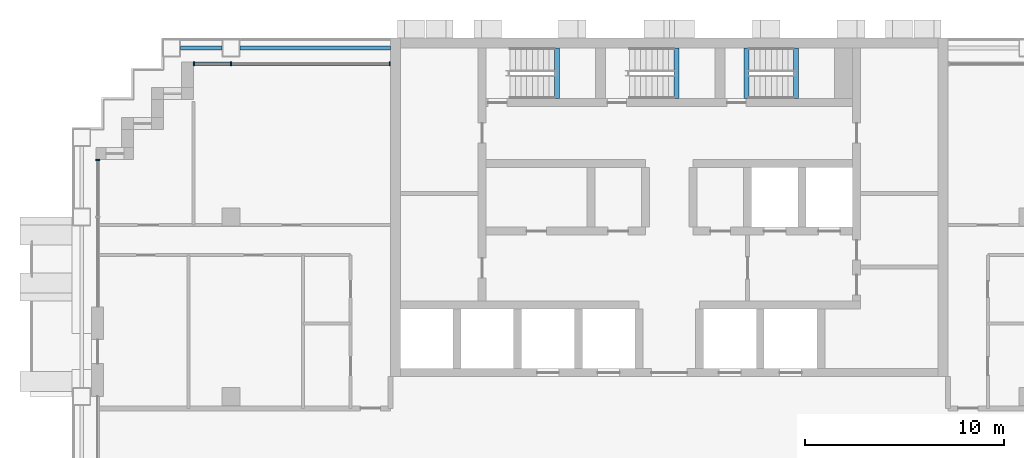
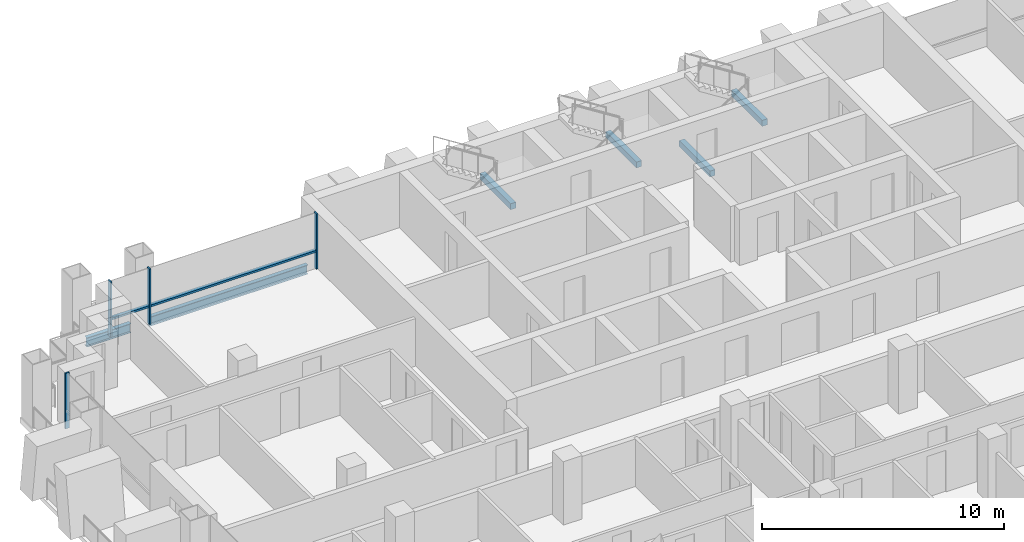
# One storey, part 4 of 18: 6 beams, 6 members, 2 elements without a shape of their own.
"""IFC4 building model written with IfcOpenShell, lengths in metres."""

import ifcopenshell
import ifcopenshell.guid

model = None  # the IFC model being written
_history = None  # IfcOwnerHistory: only IFC2X3 demands one
_inside = {}  # id of a spatial element -> (the spatial element, [elements in it])
_under = {}  # id of a project, library or spatial element -> (it, [spatial elements below it])
_declared = {}  # id of a project -> (the project, [libraries it declares])
_typed = {}  # id of a type object -> (the type object, [elements of that type])
_made_of = {}  # id of a material, layer set ... -> (it, [elements and type objects made of it])


def new_model(schema):
    """Start an empty IFC model of exactly this schema.

    Asked for "IFC4X3", IfcOpenShell would pick the latest addendum, in which some entities
    have other attributes; the version numbers below select the first issue.
    IFC2X3 requires an IfcOwnerHistory on every rooted entity: one is made here for all.
    """
    global model, _history
    if schema == "IFC4X3":
        model = ifcopenshell.file(schema_version=(4, 3, 0, 0))
    else:
        model = ifcopenshell.file(schema=schema)
    _inside.clear()
    _under.clear()
    _declared.clear()
    _typed.clear()
    _made_of.clear()
    _history = None
    if model.schema == "IFC2X3":
        org = make("IfcOrganization", Name="unknown")
        user = make(
            "IfcPersonAndOrganization",
            ThePerson=make("IfcPerson", FamilyName="unknown"),
            TheOrganization=org,
        )
        app = make(
            "IfcApplication",
            ApplicationDeveloper=org,
            Version="unknown",
            ApplicationFullName="unknown",
            ApplicationIdentifier="unknown",
        )
        _history = make(
            "IfcOwnerHistory",
            OwningUser=user,
            OwningApplication=app,
            ChangeAction="ADDED",
            CreationDate=0,
        )
    return model


def make(cls, **values):
    """One entity of the class cls with the attributes given. An attribute that is None is left unset."""
    return model.create_entity(
        cls, **{name: value for name, value in values.items() if value is not None}
    )


def rooted(cls, **values):
    """An entity with a GlobalId (a new one), such as an element, a storey or a relation."""
    return make(cls, GlobalId=ifcopenshell.guid.new(), OwnerHistory=_history, **values)


def si_unit(unit_type, name, prefix=None):
    """IfcSIUnit, for example si_unit("LENGTHUNIT", "METRE", prefix="MILLI")."""
    return make("IfcSIUnit", UnitType=unit_type, Prefix=prefix, Name=name)


def assignment(units):
    """IfcUnitAssignment: the units of a project."""
    return None if units is None else make("IfcUnitAssignment", Units=units)


def point(xyz):
    """IfcCartesianPoint."""
    return None if xyz is None else make("IfcCartesianPoint", Coordinates=xyz)


def direction(xyz):
    """IfcDirection."""
    return None if xyz is None else make("IfcDirection", DirectionRatios=xyz)


def frame(location, z_axis=None, x_axis=None):
    """IfcAxis2Placement3D, a coordinate frame: its origin and axes. An axis left out is left unset."""
    return make(
        "IfcAxis2Placement3D",
        Location=point(location),
        Axis=direction(z_axis),
        RefDirection=direction(x_axis),
    )


def frame_2d(location, x_axis=None):
    """IfcAxis2Placement2D, a coordinate frame in the plane: its origin and x axis."""
    return make(
        "IfcAxis2Placement2D", Location=point(location), RefDirection=direction(x_axis)
    )


def origin():
    """The frame at (0, 0, 0) with its axes left unset."""
    return frame((0.0, 0.0, 0.0))


def origin_2d():
    """The frame at (0, 0) in the plane with its x axis left unset."""
    return frame_2d((0.0, 0.0))


def place(relative_to, where):
    """IfcLocalPlacement: puts the frame where relative to a parent placement (None: the world)."""
    return make(
        "IfcLocalPlacement", PlacementRelTo=relative_to, RelativePlacement=where
    )


def context(
    kind, dimensions, precision=None, world=None, true_north=None, identifier=None
):
    """IfcGeometricRepresentationContext, for example the 3D "Model" context."""
    return make(
        "IfcGeometricRepresentationContext",
        ContextIdentifier=identifier,
        ContextType=kind,
        CoordinateSpaceDimension=dimensions,
        Precision=precision,
        WorldCoordinateSystem=world,
        TrueNorth=true_north,
    )


def subcontext(parent, identifier, kind, view, scale=None):
    """IfcGeometricRepresentationSubContext, for example "Body" below "Model"."""
    return make(
        "IfcGeometricRepresentationSubContext",
        ContextIdentifier=identifier,
        ContextType=kind,
        ParentContext=parent,
        TargetScale=scale,
        TargetView=view,
    )


def project(units=None, contexts=None):
    """IfcProject with its units and contexts."""
    return rooted(
        "IfcProject",
        Name="project",
        RepresentationContexts=contexts,
        UnitsInContext=assignment(units),
    )


def spatial(cls, under=None, at=None, **own):
    """A site, building, storey or space (cls), placed at a placement, below another one or the project."""
    s = rooted(cls, ObjectPlacement=at, **own)
    if under is not None:
        _under.setdefault(under.id(), (under, []))[1].append(s)
    return s


def profile(cls, at=None, kind="AREA", **sizes):
    """A parametric profile (cls). Its sizes go by their IFC names, for example OverallWidth=200.0."""
    return make(cls, ProfileType=kind, Position=at, **sizes)


def rectangle(**sizes):
    """IfcRectangleProfileDef."""
    return profile("IfcRectangleProfileDef", **sizes)


def i_section(**sizes):
    """IfcIShapeProfileDef."""
    return profile("IfcIShapeProfileDef", **sizes)


def extrude(swept, where, along, depth):
    """IfcExtrudedAreaSolid: the profile swept, set in the frame where, extruded along a direction by depth."""
    return make(
        "IfcExtrudedAreaSolid",
        SweptArea=swept,
        Position=where,
        ExtrudedDirection=direction(along),
        Depth=depth,
    )


def shape(context_of_items, identifier, shape_type, items):
    """IfcShapeRepresentation: the items that make up one representation, for example the "Body"."""
    return make(
        "IfcShapeRepresentation",
        ContextOfItems=context_of_items,
        RepresentationIdentifier=identifier,
        RepresentationType=shape_type,
        Items=items,
    )


def material(Name=None, Category=None):
    """IfcMaterial."""
    return make("IfcMaterial", Name=Name, Category=Category)


def material_profile(
    of_material, cross_section, Name=None, Category=None, Priority=None
):
    """IfcMaterialProfile: a cross section and its material."""
    return make(
        "IfcMaterialProfile",
        Name=Name,
        Material=of_material,
        Profile=cross_section,
        Priority=Priority,
        Category=Category,
    )


def profile_set(profiles, Name=None, composite=None):
    """IfcMaterialProfileSet."""
    return make(
        "IfcMaterialProfileSet",
        Name=Name,
        MaterialProfiles=profiles,
        CompositeProfile=composite,
    )


def made_of(thing, what):
    """Note that an element or type object is made of a material, layer set ...; save() writes the relation."""
    if what is not None:
        _made_of.setdefault(what.id(), (what, []))[1].append(thing)
    return thing


def type_object(cls, material=None, **own):
    """A type object (cls), such as IfcWallType, which elements share."""
    return made_of(rooted(cls, **own), material)


def element(
    cls,
    number,
    at=None,
    inside=None,
    cuts=None,
    type_object=None,
    material=None,
    context=None,
    identifier="Body",
    shape_type=None,
    held_by="IfcProductDefinitionShape",
    body=None,
    shapes=None,
    **own,
):
    """One element of the class cls, such as IfcWall. Its Tag is "e" and its number.

    at: its placement. inside: the storey or other place that contains it. cuts: it is an
    opening in that element (IfcRelVoidsElement). A single representation is given by context,
    identifier, shape_type and body (its items); several are given by shapes. held_by: the class
    of the entity that holds the representations. save() writes the other relations.
    """
    e = rooted(cls, Tag="e%d" % number, ObjectPlacement=at, **own)
    if body is not None:
        shapes = [shape(context, identifier, shape_type, body)]
    if shapes is not None:
        e.Representation = make(held_by, Representations=shapes)
    if inside is not None:
        _inside.setdefault(inside.id(), (inside, []))[1].append(e)
    if cuts is not None:
        rooted(
            "IfcRelVoidsElement", RelatingBuildingElement=cuts, RelatedOpeningElement=e
        )
    if type_object is not None:
        _typed.setdefault(type_object.id(), (type_object, []))[1].append(e)
    return made_of(e, material)


def aggregate(whole, parts):
    """IfcRelAggregates: a whole, such as a stair, and the parts it consists of."""
    return rooted("IfcRelAggregates", RelatingObject=whole, RelatedObjects=parts)


def save(model, path):
    """Write the relations noted so far, then the file.

    IfcRelAggregates (storeys below a building ...), IfcRelContainedInSpatialStructure (elements
    in a storey), IfcRelDefinesByType, IfcRelAssociatesMaterial and IfcRelDeclares: one each for
    every whole, place, type object, material and project.
    """
    for whole, parts in _under.values():
        aggregate(whole, parts)
    for where, things in _inside.values():
        rooted(
            "IfcRelContainedInSpatialStructure",
            RelatedElements=things,
            RelatingStructure=where,
        )
    for kind, things in _typed.values():
        rooted("IfcRelDefinesByType", RelatedObjects=things, RelatingType=kind)
    for what, things in _made_of.values():
        rooted("IfcRelAssociatesMaterial", RelatedObjects=things, RelatingMaterial=what)
    for by, libraries in _declared.values():
        rooted("IfcRelDeclares", RelatingContext=by, RelatedDefinitions=libraries)
    model.write(path)


model = new_model("IFC4")

# Units and contexts
model_context = context("Model", 3, precision=1e-05, world=origin(), true_north=direction((0.0, 1.0)))
body_context = subcontext(model_context, "Body", "Model", "MODEL_VIEW")
ifc_project = project(units=[si_unit("LENGTHUNIT", "METRE"), si_unit("AREAUNIT", "SQUARE_METRE"), si_unit("VOLUMEUNIT", "CUBIC_METRE"), si_unit("PLANEANGLEUNIT", "RADIAN"), si_unit("MASSUNIT", "GRAM", prefix="KILO")], contexts=[model_context])

# Site, building, storey
site_placement = place(None, origin())
site = spatial("IfcSite", under=ifc_project, at=site_placement, CompositionType="ELEMENT")
building_placement = place(site_placement, origin())
building = spatial("IfcBuilding", under=site, at=building_placement, Name="Vidyagriha Tower", CompositionType="ELEMENT")
storey_placement = place(building_placement, frame((0.0, 0.0, 103.10009765625)))
storey = spatial("IfcBuildingStorey", under=building, at=storey_placement, Name="L27", CompositionType="ELEMENT", Elevation=103.10009765625)

# Beams
ifc_material_1 = material(Name="Steel ASTM A992 Grade 50", Category="steel")
ifc_material_profile_1 = material_profile(ifc_material_1, i_section(OverallWidth=0.19189453125, OverallDepth=0.46240234375, WebThickness=0.010498046875, FlangeThickness=0.017578125, at=origin_2d()), Name="W18X60")
ifc_profile_set_1 = profile_set([ifc_material_profile_1], Name="Steel ASTM A992 Grade 50")
beam_type_1 = type_object("IfcBeamType", Name="Edge beam W18X60", PredefinedType="SPANDREL", material=ifc_profile_set_1)
beam_1_placement = place(storey_placement, frame((-24.550048828125, 19.5, -0.51123046875), z_axis=(1.0, 0.0, 0.0), x_axis=(0.0, 1.0, 0.0)))
element("IfcBeam", 1, at=beam_1_placement, inside=storey, type_object=beam_type_1, Name="st-beam-L27-NW20", PredefinedType="SPANDREL", context=body_context, shape_type="SweptSolid", body=[
    extrude(i_section(OverallWidth=0.19189453125, OverallDepth=0.46240234375, WebThickness=0.010498046875, FlangeThickness=0.017578125, at=origin_2d()), origin(), (0.0, 0.0, 1.0), 2.10009765625),
])
beam_2_placement = place(storey_placement, frame((-21.550048828125, 19.5, -0.51123046875), z_axis=(1.0, 0.0, 0.0), x_axis=(0.0, 1.0, 0.0)))
element("IfcBeam", 2, at=beam_2_placement, inside=storey, type_object=beam_type_1, Name="st-beam-L27-NC24", PredefinedType="SPANDREL", context=body_context, shape_type="SweptSolid", body=[
    extrude(i_section(OverallWidth=0.19189453125, OverallDepth=0.46240234375, WebThickness=0.010498046875, FlangeThickness=0.017578125, at=origin_2d()), origin(), (0.0, 0.0, 1.0), 7.550048828125),
])

# Curtain wall, members
ifc_material_2 = material(Name="Aluminium and glass curtain wall", Category="aluminium")
curtain_wall_type = type_object("IfcCurtainWallType", Name="Dwelling skin unitised curtain wall", PredefinedType="USERDEFINED", material=ifc_material_2)
curtain_wall_1_placement = place(storey_placement, origin())
curtain_wall_1 = element("IfcCurtainWall", 3, at=curtain_wall_1_placement, inside=storey, type_object=curtain_wall_type, Name="CW1 dwelling skin", ObjectType="UNITISED", PredefinedType="USERDEFINED")
ifc_material_3 = material(Name="Aluminium black anodised", Category="aluminium")
ifc_material_profile_2 = material_profile(ifc_material_3, rectangle(XDim=0.199951171875, YDim=0.070068359375, at=origin_2d()), Name="Mullion 70x200 black aluminium")
ifc_profile_set_2 = profile_set([ifc_material_profile_2], Name="Aluminium black anodised")
member_type_1 = type_object("IfcMemberType", Name="Mullion 70x200 black aluminium", PredefinedType="MULLION", material=ifc_profile_set_2)
member_1_placement = place(storey_placement, frame((-14.034912109375, 18.699951171875, 0.0), z_axis=(0.0, 0.0, 1.0), x_axis=(0.0, -1.0, 0.0)))
member_1 = element("IfcMember", 4, at=member_1_placement, type_object=member_type_1, Name="CW1 mullion 1", PredefinedType="MULLION", context=body_context, shape_type="SweptSolid", body=[
    extrude(rectangle(XDim=0.199951171875, YDim=0.070068359375, at=origin_2d()), origin(), (0.0, 0.0, 1.0), 2.7998046875),
])
member_2_placement = place(storey_placement, frame((-22.0, 18.699951171875, 0.0), z_axis=(0.0, 0.0, 1.0), x_axis=(0.0, -1.0, 0.0)))
member_2 = element("IfcMember", 5, at=member_2_placement, type_object=member_type_1, Name="CW1 mullion 2", PredefinedType="MULLION", context=body_context, shape_type="SweptSolid", body=[
    extrude(rectangle(XDim=0.199951171875, YDim=0.070068359375, at=origin_2d()), origin(), (0.0, 0.0, 1.0), 2.7998046875),
])
member_3_placement = place(storey_placement, frame((-23.864990234375, 18.699951171875, 0.0), z_axis=(0.0, 0.0, 1.0), x_axis=(0.0, -1.0, 0.0)))
member_3 = element("IfcMember", 6, at=member_3_placement, type_object=member_type_1, Name="CW1 mullion 3", PredefinedType="MULLION", context=body_context, shape_type="SweptSolid", body=[
    extrude(rectangle(XDim=0.199951171875, YDim=0.070068359375, at=origin_2d()), origin(), (0.0, 0.0, 1.0), 2.7998046875),
])

# Curtain wall, member
curtain_wall_2_placement = place(storey_placement, origin())
curtain_wall_2 = element("IfcCurtainWall", 7, at=curtain_wall_2_placement, inside=storey, type_object=curtain_wall_type, Name="CW1 dwelling skin", ObjectType="UNITISED", PredefinedType="USERDEFINED")
member_4_placement = place(storey_placement, frame((-28.699951171875, 13.864990234375, 0.0)))
member_4 = element("IfcMember", 8, at=member_4_placement, type_object=member_type_1, Name="CW1 mullion 1", PredefinedType="MULLION", context=body_context, shape_type="SweptSolid", body=[
    extrude(rectangle(XDim=0.199951171875, YDim=0.070068359375, at=origin_2d()), origin(), (0.0, 0.0, 1.0), 2.7998046875),
])
aggregate(curtain_wall_2, [member_4])

# Beams
ifc_material_4 = material(Name="Concrete C40/50", Category="concrete")
ifc_material_profile_3 = material_profile(ifc_material_4, rectangle(XDim=0.25, YDim=0.300048828125, at=origin_2d()), Name="Stair landing bearing beam 250x300")
ifc_profile_set_3 = profile_set([ifc_material_profile_3], Name="Concrete C40/50")
beam_type_2 = type_object("IfcBeamType", Name="Stair landing bearing beam 250x300", PredefinedType="BEAM", material=ifc_profile_set_3)
for number, where, z_axis, x_axis, name in (
    (9, (3.875, 16.949951171875, -0.43017578125), (0.0, 1.0, 0.0), (-1.0, 0.0, 0.0), "ST3 floor landing bearing beam L27"),
    (10, (-5.635009765625, 16.949951171875, 1.25), (0.0, 1.0, 0.0), (-1.0, 0.0, 0.0), "ST1 landing bearing beam L27"),
    (11, (0.364990234375, 16.949951171875, 1.25), (0.0, 1.0, 0.0), (-1.0, 0.0, 0.0), "ST2 landing bearing beam L27"),
    (12, (6.364990234375, 16.949951171875, 1.25), (0.0, 1.0, 0.0), (-1.0, 0.0, 0.0), "ST3 landing bearing beam L27"),
):
    element("IfcBeam", number, at=place(storey_placement, frame(where, z_axis=z_axis, x_axis=x_axis)), inside=storey, type_object=beam_type_2, Name=name, PredefinedType="BEAM", context=body_context, shape_type="SweptSolid", body=[
        extrude(rectangle(XDim=0.25, YDim=0.300048828125, at=origin_2d()), origin(), (0.0, 0.0, 1.0), 2.550048828125),
    ])

# Member
ifc_material_5 = material(Name="Aluminium black anodised", Category="aluminium")
ifc_material_profile_4 = material_profile(ifc_material_5, rectangle(XDim=0.159912109375, YDim=0.10009765625, at=origin_2d()), Name="Transom 100x160 black aluminium")
ifc_profile_set_4 = profile_set([ifc_material_profile_4], Name="Aluminium black anodised")
member_type_2 = type_object("IfcMemberType", Name="Transom 100x160 black aluminium", PredefinedType="USERDEFINED", material=ifc_profile_set_4)
member_5_placement = place(storey_placement, frame((-14.070068359375, 18.699951171875, 0.89990234375), z_axis=(-1.0, 0.0, 0.0), x_axis=(0.0, -1.0, 0.0)))
member_5 = element("IfcMember", 13, at=member_5_placement, type_object=member_type_2, Name="CW1 transom 1.1", ObjectType="TRANSOM", PredefinedType="USERDEFINED", context=body_context, shape_type="SweptSolid", body=[
    extrude(rectangle(XDim=0.159912109375, YDim=0.10009765625, at=origin_2d()), origin(), (0.0, 0.0, 1.0), 7.89501953125),
])

member_6_placement = place(storey_placement, frame((-22.034912109375, 18.699951171875, 0.89990234375), z_axis=(-1.0, 0.0, 0.0), x_axis=(0.0, -1.0, 0.0)))
member_6 = element("IfcMember", 14, at=member_6_placement, type_object=member_type_2, Name="CW1 transom 2.1", ObjectType="TRANSOM", PredefinedType="USERDEFINED", context=body_context, shape_type="SweptSolid", body=[
    extrude(rectangle(XDim=0.159912109375, YDim=0.10009765625, at=origin_2d()), origin(), (0.0, 0.0, 1.0), 1.795166015625),
])

aggregate(curtain_wall_1, [member_1, member_2, member_3, member_5, member_6])

save(model, "model.ifc")
